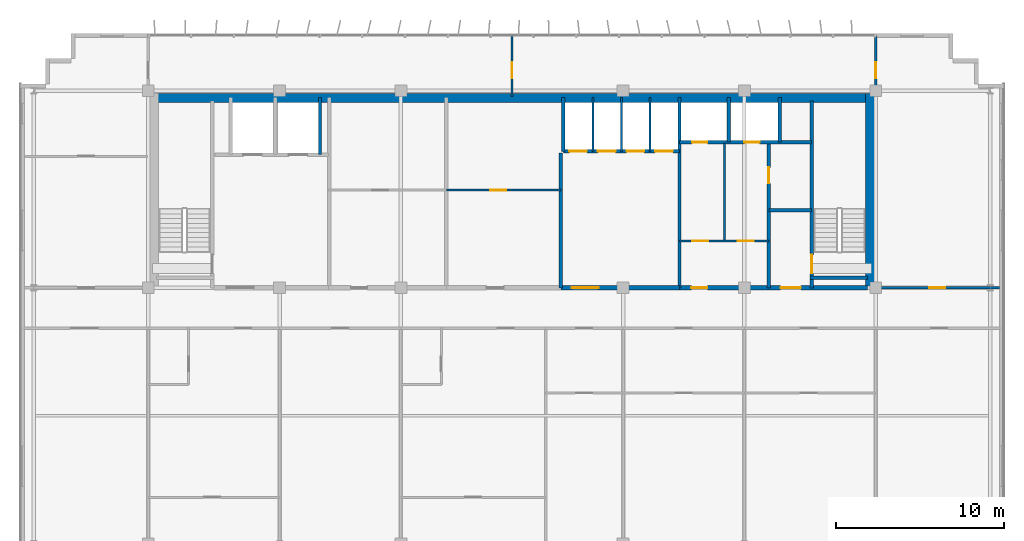
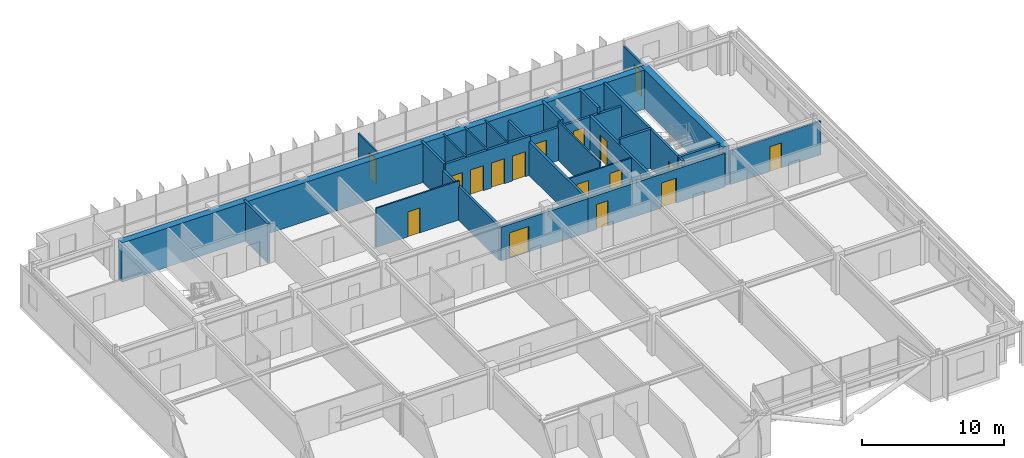
# One storey, part 24 of 27: 25 walls, 17 doors, 17 openings.
"""IFC4 building model written with IfcOpenShell, lengths in metres."""

from ifc_helpers import new_model, si_unit, direction, frame, frame_2d, origin, place, context, subcontext, project, spatial, rectangle, extrude, source, transform, mapped, material, layer, layer_set, type_object, element, fill, save


model = new_model("IFC4")

# Units and contexts
model_context = context("Model", 3, precision=1e-05, world=origin(), true_north=direction((0.0, 1.0)))
body_context = subcontext(model_context, "Body", "Model", "MODEL_VIEW")
ifc_project = project(units=[si_unit("LENGTHUNIT", "METRE"), si_unit("AREAUNIT", "SQUARE_METRE"), si_unit("VOLUMEUNIT", "CUBIC_METRE"), si_unit("PLANEANGLEUNIT", "RADIAN"), si_unit("MASSUNIT", "GRAM", prefix="KILO")], contexts=[model_context])

# Site, building, storey
site_placement = place(None, origin())
site = spatial("IfcSite", under=ifc_project, at=site_placement, CompositionType="ELEMENT")
building_placement = place(site_placement, origin())
building = spatial("IfcBuilding", under=site, at=building_placement, Name="Trelvane Seafront Commons", CompositionType="ELEMENT")
storey_placement = place(building_placement, frame((0.0, 0.0, 233.699951171875)))
storey = spatial("IfcBuildingStorey", under=building, at=storey_placement, Name="L61", CompositionType="ELEMENT", Elevation=233.699951171875)

# Wall, opening, door
ifc_material_1 = material(Name="Concrete C40/50", Category="concrete")
ifc_layer_1 = layer(ifc_material_1, 0.199951171875, Name="ARCH-WALL-FIRE200")
ifc_layer_set_1 = layer_set([ifc_layer_1], Name="Concrete C40/50")
wall_type_1 = type_object("IfcWallType", Name="ARCH-WALL-FIRE200", PredefinedType="PARTITIONING", material=ifc_layer_set_1)
wall_1_placement = place(storey_placement, frame((52.449951171875, 33.39990234375, 0.0), z_axis=(0.0, 0.0, 1.0), x_axis=(0.0, 1.0, 0.0)))
wall_1 = element("IfcWall", 1, at=wall_1_placement, inside=storey, type_object=wall_type_1, Name="W-L61-ST2V-W-030", PredefinedType="PARTITIONING", context=body_context, shape_type="SweptSolid", body=[
    extrude(rectangle(XDim=8.650146484375, YDim=0.199951171875, at=frame_2d((4.3251953125, 0.0))), origin(), (0.0, 0.0, 1.0), 2.91015625),
])
opening_1_placement = place(wall_1_placement, frame((6.199951171875, 0.0, 0.0)))
opening_1 = element("IfcOpeningElement", 2, at=opening_1_placement, cuts=wall_1, Name="Opening FD-L61-17", PredefinedType="OPENING", context=body_context, shape_type="SweptSolid", body=[
    extrude(rectangle(XDim=0.949951171875, YDim=2.14990234375, at=frame_2d((0.47509765625, 1.074951171875))), frame((0.0, 0.10986328125, 0.0), z_axis=(0.0, -1.0, 0.0), x_axis=(1.0, 0.0, 0.0)), (0.0, 0.0, 1.0), 0.219970703125),
])
ifc_material_2 = material(Name="Powder-coated aluminium frame", Category="aluminium")
door_type_1 = type_object("IfcDoorType", Name="ARCH-DR-FD60-950", OperationType="NOTDEFINED", PredefinedType="DOOR", material=ifc_material_2)
shared_shape_1 = source(origin(), body_context, "Body", "SweptSolid", [
    extrude(rectangle(XDim=0.949951171875, YDim=2.14990234375, at=frame_2d((0.47509765625, 1.074951171875))), frame((0.0, 0.02490234375, 0.0), z_axis=(0.0, -1.0, 0.0), x_axis=(1.0, 0.0, 0.0)), (0.0, 0.0, 1.0), 0.050048828125),
])
door_1_placement = place(opening_1_placement, origin())
door_1 = element("IfcDoor", 3, at=door_1_placement, inside=storey, type_object=door_type_1, Name="L61 Cleaner Store Door", OperationType="SINGLE_SWING_LEFT", OverallHeight=2.14990234375, OverallWidth=0.949951171875, PredefinedType="DOOR", context=body_context, shape_type="MappedRepresentation", body=[
    mapped(shared_shape_1, transform((0.0, 0.0, 0.0), x_axis=(1.0, 0.0, 0.0), y_axis=(0.0, 1.0, 0.0), z_axis=(0.0, 0.0, 1.0), scale=1.0)),
])
fill(opening_1, door_1)

# Wall
wall_2_placement = place(storey_placement, frame((52.449951171875, 38.0, 0.0), z_axis=(0.0, 0.0, 1.0), x_axis=(1.0, 0.0, 0.0)))
element("IfcWall", 4, at=wall_2_placement, inside=storey, type_object=wall_type_1, Name="W-L61-ST2V-N-031", PredefinedType="PARTITIONING", context=body_context, shape_type="SweptSolid", body=[
    extrude(rectangle(XDim=2.550048828125, YDim=0.199951171875, at=frame_2d((1.27490234375, 0.0))), origin(), (0.0, 0.0, 1.0), 3.360107421875),
])

# Wall, opening, door
ifc_layer_2 = layer(ifc_material_1, 0.25, Name="ARCH-WALL-FIRE250")
ifc_layer_set_2 = layer_set([ifc_layer_2], Name="Concrete C40/50")
wall_type_2 = type_object("IfcWallType", Name="ARCH-WALL-FIRE250", PredefinedType="PARTITIONING", material=ifc_layer_set_2)
wall_3_placement = place(storey_placement, frame((40.10009765625, 33.39990234375, 0.0), z_axis=(0.0, 0.0, 1.0), x_axis=(1.0, 0.0, 0.0)))
wall_3 = element("IfcWall", 5, at=wall_3_placement, inside=storey, type_object=wall_type_2, Name="W-L61-CS-PAX-026", PredefinedType="PARTITIONING", context=body_context, shape_type="SweptSolid", body=[
    extrude(rectangle(XDim=7.0498046875, YDim=0.25, at=frame_2d((3.52490234375, 0.0))), origin(), (0.0, 0.0, 1.0), 2.91015625),
])
opening_2_placement = place(wall_3_placement, frame((0.64990234375, 0.0, 0.0)))
opening_2 = element("IfcOpeningElement", 6, at=opening_2_placement, cuts=wall_3, Name="Opening FD-L61-14", PredefinedType="OPENING", context=body_context, shape_type="SweptSolid", body=[
    extrude(rectangle(XDim=1.60009765625, YDim=2.199951171875, at=frame_2d((0.800048828125, 1.10009765625))), frame((0.0, 0.135009765625, 0.0), z_axis=(0.0, -1.0, 0.0), x_axis=(1.0, 0.0, 0.0)), (0.0, 0.0, 1.0), 0.27001953125),
])
door_type_2 = type_object("IfcDoorType", Name="ARCH-DR-FD60-1600", OperationType="DOUBLE_DOOR_SINGLE_SWING", PredefinedType="DOOR", material=ifc_material_2)
shared_shape_2 = source(origin(), body_context, "Body", "SweptSolid", [
    extrude(rectangle(XDim=1.60009765625, YDim=2.199951171875, at=frame_2d((0.800048828125, 1.10009765625))), frame((0.0, 0.02490234375, 0.0), z_axis=(0.0, -1.0, 0.0), x_axis=(1.0, 0.0, 0.0)), (0.0, 0.0, 1.0), 0.050048828125),
])
door_2_placement = place(opening_2_placement, origin())
door_2 = element("IfcDoor", 7, at=door_2_placement, inside=storey, type_object=door_type_2, Name="L61 High-Rise Lift Lobby Double Door", OperationType="DOUBLE_DOOR_SINGLE_SWING", OverallHeight=2.199951171875, OverallWidth=1.60009765625, PredefinedType="DOOR", context=body_context, shape_type="MappedRepresentation", body=[
    mapped(shared_shape_2, transform((0.0, 0.0, 0.0), x_axis=(1.0, 0.0, 0.0), y_axis=(0.0, 1.0, 0.0), z_axis=(0.0, 0.0, 1.0), scale=1.0)),
])
fill(opening_2, door_2)

# Wall, openings, doors
wall_4_placement = place(storey_placement, frame((47.14990234375, 33.39990234375, 0.0), z_axis=(0.0, 0.0, 1.0), x_axis=(1.0, 0.0, 0.0)))
wall_4 = element("IfcWall", 8, at=wall_4_placement, inside=storey, type_object=wall_type_2, Name="W-L61-CS-EAST-034", PredefinedType="PARTITIONING", context=body_context, shape_type="SweptSolid", body=[
    extrude(rectangle(XDim=11.150146484375, YDim=0.25, at=frame_2d((5.5751953125, 0.0))), origin(), (0.0, 0.0, 1.0), 2.91015625),
])
opening_3_placement = place(wall_4_placement, frame((0.699951171875, 0.0, 0.0)))
opening_3 = element("IfcOpeningElement", 9, at=opening_3_placement, cuts=wall_4, Name="Opening FD-L61-20", PredefinedType="OPENING", context=body_context, shape_type="SweptSolid", body=[
    extrude(rectangle(XDim=0.949951171875, YDim=2.14990234375, at=frame_2d((0.47509765625, 1.074951171875))), frame((0.0, 0.135009765625, 0.0), z_axis=(0.0, -1.0, 0.0), x_axis=(1.0, 0.0, 0.0)), (0.0, 0.0, 1.0), 0.27001953125),
])
opening_4_placement = place(wall_4_placement, frame((6.0, 0.0, 0.0)))
opening_4 = element("IfcOpeningElement", 10, at=opening_4_placement, cuts=wall_4, Name="Opening FD-L61-21", PredefinedType="OPENING", context=body_context, shape_type="SweptSolid", body=[
    extrude(rectangle(XDim=1.199951171875, YDim=2.14990234375, at=frame_2d((0.60009765625, 1.074951171875))), frame((0.0, 0.135009765625, 0.0), z_axis=(0.0, -1.0, 0.0), x_axis=(1.0, 0.0, 0.0)), (0.0, 0.0, 1.0), 0.27001953125),
])
door_3_placement = place(opening_3_placement, origin())
door_3 = element("IfcDoor", 11, at=door_3_placement, inside=storey, type_object=door_type_1, Name="L61 Core Service Lobby Door", OperationType="SINGLE_SWING_RIGHT", OverallHeight=2.14990234375, OverallWidth=0.949951171875, PredefinedType="DOOR", context=body_context, shape_type="MappedRepresentation", body=[
    mapped(shared_shape_1, transform((0.0, 0.0, 0.0), x_axis=(1.0, 0.0, 0.0), y_axis=(0.0, 1.0, 0.0), z_axis=(0.0, 0.0, 1.0), scale=1.0)),
])
fill(opening_3, door_3)
door_type_3 = type_object("IfcDoorType", Name="ARCH-DR-FD60-1200", OperationType="NOTDEFINED", PredefinedType="DOOR", material=ifc_material_2)
shared_shape_3 = source(origin(), body_context, "Body", "SweptSolid", [
    extrude(rectangle(XDim=1.199951171875, YDim=2.14990234375, at=frame_2d((0.60009765625, 1.074951171875))), frame((0.0, 0.02490234375, 0.0), z_axis=(0.0, -1.0, 0.0), x_axis=(1.0, 0.0, 0.0)), (0.0, 0.0, 1.0), 0.050048828125),
])
door_4_placement = place(opening_4_placement, origin())
door_4 = element("IfcDoor", 12, at=door_4_placement, inside=storey, type_object=door_type_3, Name="L61 East Stair Vestibule Fire Door", OperationType="SINGLE_SWING_LEFT", OverallHeight=2.14990234375, OverallWidth=1.199951171875, PredefinedType="DOOR", context=body_context, shape_type="MappedRepresentation", body=[
    mapped(shared_shape_3, transform((0.0, 0.0, 0.0), x_axis=(1.0, 0.0, 0.0), y_axis=(0.0, 1.0, 0.0), z_axis=(0.0, 0.0, 1.0), scale=1.0)),
])
fill(opening_4, door_4)

# Wall, opening, door
ifc_material_3 = material(Name="Gypsum Drywall Acoustic Partition")
ifc_layer_3 = layer(ifc_material_3, 0.1201171875, Name="ARCH-WALL-PART120")
ifc_layer_set_3 = layer_set([ifc_layer_3], Name="Gypsum Drywall Acoustic Partition")
wall_type_3 = type_object("IfcWallType", Name="ARCH-WALL-PART120", PredefinedType="PARTITIONING", material=ifc_layer_set_3)
wall_5_placement = place(storey_placement, frame((33.300048828125, 39.199951171875, 0.0), z_axis=(0.0, 0.0, 1.0), x_axis=(1.0, 0.0, 0.0)))
wall_5 = element("IfcWall", 13, at=wall_5_placement, inside=storey, type_object=wall_type_3, Name="W-L61-FREED-PM-MID-016", PredefinedType="PARTITIONING", context=body_context, shape_type="SweptSolid", body=[
    extrude(rectangle(XDim=6.800048828125, YDim=0.1201171875, at=frame_2d((3.39990234375, 0.0))), origin(), (0.0, 0.0, 1.0), 3.360107421875),
])
opening_5_placement = place(wall_5_placement, frame((2.60009765625, 0.0, 0.0)))
opening_5 = element("IfcOpeningElement", 14, at=opening_5_placement, cuts=wall_5, Name="Opening D-L61-07", PredefinedType="OPENING", context=body_context, shape_type="SweptSolid", body=[
    extrude(rectangle(XDim=0.949951171875, YDim=2.14990234375, at=frame_2d((0.47509765625, 1.074951171875))), frame((0.0, 0.070068359375, 0.0), z_axis=(0.0, -1.0, 0.0), x_axis=(1.0, 0.0, 0.0)), (0.0, 0.0, 1.0), 0.14013671875),
])
ifc_material_4 = material(Name="Acoustic timber door leaf", Category="wood")
door_type_4 = type_object("IfcDoorType", Name="ARCH-DR-INT950", OperationType="NOTDEFINED", PredefinedType="DOOR", material=ifc_material_4)
door_5_placement = place(opening_5_placement, origin())
door_5 = element("IfcDoor", 15, at=door_5_placement, inside=storey, type_object=door_type_4, Name="L61 IT Comms Room Door", OperationType="SINGLE_SWING_LEFT", OverallHeight=2.14990234375, OverallWidth=0.949951171875, PredefinedType="DOOR", context=body_context, shape_type="MappedRepresentation", body=[
    mapped(shared_shape_1, transform((0.0, 0.0, 0.0), x_axis=(1.0, 0.0, 0.0), y_axis=(0.0, 1.0, 0.0), z_axis=(0.0, 0.0, 1.0), scale=1.0)),
])
fill(opening_5, door_5)

# Walls
for number, where, z_axis, x_axis, name in (
    (16, (42.0, 41.5, 0.0), (0.0, 0.0, 1.0), (0.0, 1.0, 0.0), "W-L61-PH-DIV1-020"),
    (17, (43.699951171875, 41.5, 0.0), (0.0, 0.0, 1.0), (0.0, 1.0, 0.0), "W-L61-PH-DIV2-021"),
    (18, (45.39990234375, 41.5, 0.0), (0.0, 0.0, 1.0), (0.0, 1.0, 0.0), "W-L61-PH-DIV3-022"),
):
    element("IfcWall", number, at=place(storey_placement, frame(where, z_axis=z_axis, x_axis=x_axis)), inside=storey, type_object=wall_type_3, Name=name, PredefinedType="PARTITIONING", context=body_context, shape_type="SweptSolid", body=[
        extrude(rectangle(XDim=3.199951171875, YDim=0.1201171875, at=frame_2d((1.60009765625, 0.0))), origin(), (0.0, 0.0, 1.0), 3.360107421875),
    ])

# Wall, openings, doors
wall_6_placement = place(storey_placement, frame((47.14990234375, 36.179931640625, 0.0), z_axis=(0.0, 0.0, 1.0), x_axis=(1.0, 0.0, 0.0)))
wall_6 = element("IfcWall", 19, at=wall_6_placement, inside=storey, type_object=wall_type_3, Name="W-L61-CYC1-H-032", PredefinedType="PARTITIONING", context=body_context, shape_type="SweptSolid", body=[
    extrude(rectangle(XDim=5.300048828125, YDim=0.1201171875, at=frame_2d((2.64990234375, 0.0))), origin(), (0.0, 0.0, 1.0), 2.860107421875),
])
opening_6_placement = place(wall_6_placement, frame((0.75, 0.0, 0.0)))
opening_6 = element("IfcOpeningElement", 20, at=opening_6_placement, cuts=wall_6, Name="Opening D-L61-18", PredefinedType="OPENING", context=body_context, shape_type="SweptSolid", body=[
    extrude(rectangle(XDim=0.949951171875, YDim=2.14990234375, at=frame_2d((0.47509765625, 1.074951171875))), frame((0.0, 0.070068359375, 0.0), z_axis=(0.0, -1.0, 0.0), x_axis=(1.0, 0.0, 0.0)), (0.0, 0.0, 1.0), 0.14013671875),
])
opening_7_placement = place(wall_6_placement, frame((3.449951171875, 0.0, 0.0)))
opening_7 = element("IfcOpeningElement", 21, at=opening_7_placement, cuts=wall_6, Name="Opening D-L61-19", PredefinedType="OPENING", context=body_context, shape_type="SweptSolid", body=[
    extrude(rectangle(XDim=0.949951171875, YDim=2.14990234375, at=frame_2d((0.47509765625, 1.074951171875))), frame((0.0, 0.070068359375, 0.0), z_axis=(0.0, -1.0, 0.0), x_axis=(1.0, 0.0, 0.0)), (0.0, 0.0, 1.0), 0.14013671875),
])
door_6_placement = place(opening_6_placement, origin())
door_6 = element("IfcDoor", 22, at=door_6_placement, inside=storey, type_object=door_type_4, Name="L61 Accessible WC Door", OperationType="SINGLE_SWING_RIGHT", OverallHeight=2.14990234375, OverallWidth=0.949951171875, PredefinedType="DOOR", context=body_context, shape_type="MappedRepresentation", body=[
    mapped(shared_shape_1, transform((0.0, 0.0, 0.0), x_axis=(1.0, 0.0, 0.0), y_axis=(0.0, 1.0, 0.0), z_axis=(0.0, 0.0, 1.0), scale=1.0)),
])
fill(opening_6, door_6)
door_7_placement = place(opening_7_placement, origin())
door_7 = element("IfcDoor", 23, at=door_7_placement, inside=storey, type_object=door_type_4, Name="L61 BMS Room Door", OperationType="SINGLE_SWING_LEFT", OverallHeight=2.14990234375, OverallWidth=0.949951171875, PredefinedType="DOOR", context=body_context, shape_type="MappedRepresentation", body=[
    mapped(shared_shape_1, transform((0.0, 0.0, 0.0), x_axis=(1.0, 0.0, 0.0), y_axis=(0.0, 1.0, 0.0), z_axis=(0.0, 0.0, 1.0), scale=1.0)),
])
fill(opening_7, door_7)

# Wall
wall_7_placement = place(storey_placement, frame((49.820068359375, 36.179931640625, 0.0), z_axis=(0.0, 0.0, 1.0), x_axis=(0.0, 1.0, 0.0)))
element("IfcWall", 24, at=wall_7_placement, inside=storey, type_object=wall_type_3, Name="W-L61-CYC1-V-033", PredefinedType="PARTITIONING", context=body_context, shape_type="SweptSolid", body=[
    extrude(rectangle(XDim=5.820068359375, YDim=0.1201171875, at=frame_2d((2.91015625, 0.0))), origin(), (0.0, 0.0, 1.0), 3.360107421875),
])

# Wall, opening, door
wall_8_placement = place(storey_placement, frame((37.199951171875, 44.75, 0.0), z_axis=(0.0, 0.0, 1.0), x_axis=(0.0, 1.0, 0.0)))
wall_8 = element("IfcWall", 25, at=wall_8_placement, inside=storey, type_object=wall_type_3, Name="W-L61-N-MID-DV-038", PredefinedType="PARTITIONING", context=body_context, shape_type="SweptSolid", body=[
    extrude(rectangle(XDim=3.610107421875, YDim=0.1201171875, at=frame_2d((1.80517578125, 0.0))), origin(), (0.0, 0.0, 1.0), 2.91015625),
])
opening_8_placement = place(wall_8_placement, frame((1.10009765625, 0.0, 0.0)))
opening_8 = element("IfcOpeningElement", 26, at=opening_8_placement, cuts=wall_8, Name="Opening D-L61-25", PredefinedType="OPENING", context=body_context, shape_type="SweptSolid", body=[
    extrude(rectangle(XDim=0.949951171875, YDim=2.14990234375, at=frame_2d((0.47509765625, 1.074951171875))), frame((0.0, 0.070068359375, 0.0), z_axis=(0.0, -1.0, 0.0), x_axis=(1.0, 0.0, 0.0)), (0.0, 0.0, 1.0), 0.14013671875),
])
door_8_placement = place(opening_8_placement, origin())
door_8 = element("IfcDoor", 27, at=door_8_placement, inside=storey, type_object=door_type_4, Name="L61 Door 25", OperationType="SINGLE_SWING_LEFT", OverallHeight=2.14990234375, OverallWidth=0.949951171875, PredefinedType="DOOR", context=body_context, shape_type="MappedRepresentation", body=[
    mapped(shared_shape_1, transform((0.0, 0.0, 0.0), x_axis=(1.0, 0.0, 0.0), y_axis=(0.0, 1.0, 0.0), z_axis=(0.0, 0.0, 1.0), scale=1.0)),
])
fill(opening_8, door_8)

ifc_layer_4 = layer(ifc_material_3, 0.14990234375, Name="ARCH-WALL-PART150")
ifc_layer_set_4 = layer_set([ifc_layer_4], Name="Gypsum Drywall Acoustic Partition")
wall_type_4 = type_object("IfcWallType", Name="ARCH-WALL-PART150", PredefinedType="PARTITIONING", material=ifc_layer_set_4)
wall_9_placement = place(storey_placement, frame((58.800048828125, 33.39990234375, 0.0), z_axis=(0.0, 0.0, 1.0), x_axis=(1.0, 0.0, 0.0)))
wall_9 = element("IfcWall", 28, at=wall_9_placement, inside=storey, type_object=wall_type_4, Name="W-L61-NE-ENT-037", PredefinedType="PARTITIONING", context=body_context, shape_type="SweptSolid", body=[
    extrude(rectangle(XDim=7.349853515625, YDim=0.14990234375, at=frame_2d((3.6748046875, 0.0))), origin(), (0.0, 0.0, 1.0), 2.91015625),
])
opening_9_placement = place(wall_9_placement, frame((3.19189453125, 0.0, 0.0)))
opening_9 = element("IfcOpeningElement", 29, at=opening_9_placement, cuts=wall_9, Name="Opening FD-L61-24", PredefinedType="OPENING", context=body_context, shape_type="SweptSolid", body=[
    extrude(rectangle(XDim=0.949951171875, YDim=2.14990234375, at=frame_2d((0.47509765625, 1.074951171875))), frame((0.0, 0.0849609375, 0.0), z_axis=(0.0, -1.0, 0.0), x_axis=(1.0, 0.0, 0.0)), (0.0, 0.0, 1.0), 0.169921875),
])
door_9_placement = place(opening_9_placement, origin())
door_9 = element("IfcDoor", 30, at=door_9_placement, inside=storey, type_object=door_type_1, Name="L61 NE Suite Entrance Door", OperationType="SINGLE_SWING_RIGHT", OverallHeight=2.14990234375, OverallWidth=0.949951171875, PredefinedType="DOOR", context=body_context, shape_type="MappedRepresentation", body=[
    mapped(shared_shape_1, transform((0.0, 0.0, 0.0), x_axis=(1.0, 0.0, 0.0), y_axis=(0.0, 1.0, 0.0), z_axis=(0.0, 0.0, 1.0), scale=1.0)),
])
fill(opening_9, door_9)

wall_10_placement = place(storey_placement, frame((58.800048828125, 44.75, 0.0), z_axis=(0.0, 0.0, 1.0), x_axis=(0.0, 1.0, 0.0)))
wall_10 = element("IfcWall", 31, at=wall_10_placement, inside=storey, type_object=wall_type_4, Name="W-L61-N-LINK-E-040", PredefinedType="PARTITIONING", context=body_context, shape_type="SweptSolid", body=[
    extrude(rectangle(XDim=3.610107421875, YDim=0.14990234375, at=frame_2d((1.80517578125, 0.0))), origin(), (0.0, 0.0, 1.0), 2.860107421875),
])
opening_10_placement = place(wall_10_placement, frame((1.10009765625, 0.0, 0.0)))
opening_10 = element("IfcOpeningElement", 32, at=opening_10_placement, cuts=wall_10, Name="Opening FD-L61-27", PredefinedType="OPENING", context=body_context, shape_type="SweptSolid", body=[
    extrude(rectangle(XDim=0.949951171875, YDim=2.14990234375, at=frame_2d((0.47509765625, 1.074951171875))), frame((0.0, 0.0849609375, 0.0), z_axis=(0.0, -1.0, 0.0), x_axis=(1.0, 0.0, 0.0)), (0.0, 0.0, 1.0), 0.169921875),
])
door_10_placement = place(opening_10_placement, origin())
door_10 = element("IfcDoor", 33, at=door_10_placement, inside=storey, type_object=door_type_1, Name="L61 Door 27", OperationType="SINGLE_SWING_LEFT", OverallHeight=2.14990234375, OverallWidth=0.949951171875, PredefinedType="DOOR", context=body_context, shape_type="MappedRepresentation", body=[
    mapped(shared_shape_1, transform((0.0, 0.0, 0.0), x_axis=(1.0, 0.0, 0.0), y_axis=(0.0, 1.0, 0.0), z_axis=(0.0, 0.0, 1.0), scale=1.0)),
])
fill(opening_10, door_10)

# Walls
ifc_layer_5 = layer(ifc_material_1, 0.199951171875, Name="ARCH-WALL-SHAFT200")
ifc_layer_set_5 = layer_set([ifc_layer_5], Name="Concrete C40/50")
wall_type_5 = type_object("IfcWallType", Name="ARCH-WALL-SHAFT200", PredefinedType="SOLIDWALL", material=ifc_layer_set_5)
wall_11_placement = place(storey_placement, frame((25.800048828125, 41.300048828125, 0.0), z_axis=(0.0, 0.0, 1.0), x_axis=(0.0, 1.0, 0.0)))
element("IfcWall", 34, at=wall_11_placement, inside=storey, type_object=wall_type_5, Name="W-L61-FFL-SH-E-011", PredefinedType="SOLIDWALL", context=body_context, shape_type="SweptSolid", body=[
    extrude(rectangle(XDim=3.39990234375, YDim=0.199951171875, at=frame_2d((1.699951171875, 0.0))), origin(), (0.0, 0.0, 1.0), 3.360107421875),
])
wall_12_placement = place(storey_placement, frame((40.10009765625, 33.39990234375, 0.0), z_axis=(0.0, 0.0, 1.0), x_axis=(0.0, 1.0, 0.0)))
element("IfcWall", 35, at=wall_12_placement, inside=storey, type_object=wall_type_5, Name="W-L61-FREED-PM-E-017", PredefinedType="SOLIDWALL", context=body_context, shape_type="SweptSolid", body=[
    extrude(rectangle(XDim=8.0, YDim=0.199951171875, at=frame_2d((4.0, 0.0))), origin(), (0.0, 0.0, 1.0), 2.91015625),
])

# Wall, openings, doors
wall_13_placement = place(storey_placement, frame((40.25, 41.5, 0.0), z_axis=(0.0, 0.0, 1.0), x_axis=(1.0, 0.0, 0.0)))
wall_13 = element("IfcWall", 36, at=wall_13_placement, inside=storey, type_object=wall_type_5, Name="W-L61-PH-FRONT-018", PredefinedType="SOLIDWALL", context=body_context, shape_type="SweptSolid", body=[
    extrude(rectangle(XDim=6.89990234375, YDim=0.199951171875, at=frame_2d((3.449951171875, 0.0))), origin(), (0.0, 0.0, 1.0), 3.360107421875),
])
opening_11_placement = place(wall_13_placement, frame((0.35009765625, 0.0, 0.0)))
opening_11 = element("IfcOpeningElement", 37, at=opening_11_placement, cuts=wall_13, Name="Opening LD-PH1-L61", PredefinedType="OPENING", context=body_context, shape_type="SweptSolid", body=[
    extrude(rectangle(XDim=1.050048828125, YDim=2.14990234375, at=frame_2d((0.52490234375, 1.074951171875))), frame((0.0, 0.10986328125, 0.0), z_axis=(0.0, -1.0, 0.0), x_axis=(1.0, 0.0, 0.0)), (0.0, 0.0, 1.0), 0.219970703125),
])
opening_12_placement = place(wall_13_placement, frame((2.050048828125, 0.0, 0.0)))
opening_12 = element("IfcOpeningElement", 38, at=opening_12_placement, cuts=wall_13, Name="Opening LD-PH2-L61", PredefinedType="OPENING", context=body_context, shape_type="SweptSolid", body=[
    extrude(rectangle(XDim=1.050048828125, YDim=2.14990234375, at=frame_2d((0.52490234375, 1.074951171875))), frame((0.0, 0.10986328125, 0.0), z_axis=(0.0, -1.0, 0.0), x_axis=(1.0, 0.0, 0.0)), (0.0, 0.0, 1.0), 0.219970703125),
])
opening_13_placement = place(wall_13_placement, frame((3.75, 0.0, 0.0)))
opening_13 = element("IfcOpeningElement", 39, at=opening_13_placement, cuts=wall_13, Name="Opening LD-PH3-L61", PredefinedType="OPENING", context=body_context, shape_type="SweptSolid", body=[
    extrude(rectangle(XDim=1.050048828125, YDim=2.14990234375, at=frame_2d((0.52490234375, 1.074951171875))), frame((0.0, 0.10986328125, 0.0), z_axis=(0.0, -1.0, 0.0), x_axis=(1.0, 0.0, 0.0)), (0.0, 0.0, 1.0), 0.219970703125),
])
opening_14_placement = place(wall_13_placement, frame((5.449951171875, 0.0, 0.0)))
opening_14 = element("IfcOpeningElement", 40, at=opening_14_placement, cuts=wall_13, Name="Opening LD-PH4-L61", PredefinedType="OPENING", context=body_context, shape_type="SweptSolid", body=[
    extrude(rectangle(XDim=1.050048828125, YDim=2.14990234375, at=frame_2d((0.52490234375, 1.074951171875))), frame((0.0, 0.10986328125, 0.0), z_axis=(0.0, -1.0, 0.0), x_axis=(1.0, 0.0, 0.0)), (0.0, 0.0, 1.0), 0.219970703125),
])
ifc_material_5 = material(Name="Stainless steel balustrade", Category="steel")
door_type_5 = type_object("IfcDoorType", Name="ARCH-DR-LD1050", OperationType="DOUBLE_DOOR_SLIDING", PredefinedType="DOOR", material=ifc_material_5)
shared_shape_4 = source(origin(), body_context, "Body", "SweptSolid", [
    extrude(rectangle(XDim=1.050048828125, YDim=2.14990234375, at=frame_2d((0.52490234375, 1.074951171875))), frame((0.0, 0.02490234375, 0.0), z_axis=(0.0, -1.0, 0.0), x_axis=(1.0, 0.0, 0.0)), (0.0, 0.0, 1.0), 0.050048828125),
])
door_11_placement = place(opening_11_placement, origin())
door_11 = element("IfcDoor", 41, at=door_11_placement, inside=storey, type_object=door_type_5, Name="L61 Passenger Lift PH-1 Landing Door", OperationType="DOUBLE_DOOR_SLIDING", OverallHeight=2.14990234375, OverallWidth=1.050048828125, PredefinedType="DOOR", context=body_context, shape_type="MappedRepresentation", body=[
    mapped(shared_shape_4, transform((0.0, 0.0, 0.0), x_axis=(1.0, 0.0, 0.0), y_axis=(0.0, 1.0, 0.0), z_axis=(0.0, 0.0, 1.0), scale=1.0)),
])
fill(opening_11, door_11)
door_12_placement = place(opening_12_placement, origin())
door_12 = element("IfcDoor", 42, at=door_12_placement, inside=storey, type_object=door_type_5, Name="L61 Passenger Lift PH-2 Landing Door", OperationType="DOUBLE_DOOR_SLIDING", OverallHeight=2.14990234375, OverallWidth=1.050048828125, PredefinedType="DOOR", context=body_context, shape_type="MappedRepresentation", body=[
    mapped(shared_shape_4, transform((0.0, 0.0, 0.0), x_axis=(1.0, 0.0, 0.0), y_axis=(0.0, 1.0, 0.0), z_axis=(0.0, 0.0, 1.0), scale=1.0)),
])
fill(opening_12, door_12)
door_13_placement = place(opening_13_placement, origin())
door_13 = element("IfcDoor", 43, at=door_13_placement, inside=storey, type_object=door_type_5, Name="L61 Passenger Lift PH-3 Landing Door", OperationType="DOUBLE_DOOR_SLIDING", OverallHeight=2.14990234375, OverallWidth=1.050048828125, PredefinedType="DOOR", context=body_context, shape_type="MappedRepresentation", body=[
    mapped(shared_shape_4, transform((0.0, 0.0, 0.0), x_axis=(1.0, 0.0, 0.0), y_axis=(0.0, 1.0, 0.0), z_axis=(0.0, 0.0, 1.0), scale=1.0)),
])
fill(opening_13, door_13)
door_14_placement = place(opening_14_placement, origin())
door_14 = element("IfcDoor", 44, at=door_14_placement, inside=storey, type_object=door_type_5, Name="L61 Passenger Lift PH-4 Landing Door", OperationType="DOUBLE_DOOR_SLIDING", OverallHeight=2.14990234375, OverallWidth=1.050048828125, PredefinedType="DOOR", context=body_context, shape_type="MappedRepresentation", body=[
    mapped(shared_shape_4, transform((0.0, 0.0, 0.0), x_axis=(1.0, 0.0, 0.0), y_axis=(0.0, 1.0, 0.0), z_axis=(0.0, 0.0, 1.0), scale=1.0)),
])
fill(opening_14, door_14)

# Walls
wall_14_placement = place(storey_placement, frame((40.25, 41.5, 0.0), z_axis=(0.0, 0.0, 1.0), x_axis=(0.0, 1.0, 0.0)))
element("IfcWall", 45, at=wall_14_placement, inside=storey, type_object=wall_type_5, Name="W-L61-PH-WEST-SH-019", PredefinedType="SOLIDWALL", context=body_context, shape_type="SweptSolid", body=[
    extrude(rectangle(XDim=3.199951171875, YDim=0.199951171875, at=frame_2d((1.60009765625, 0.0))), origin(), (0.0, 0.0, 1.0), 3.360107421875),
])
wall_15_placement = place(storey_placement, frame((47.14990234375, 33.39990234375, 0.0), z_axis=(0.0, 0.0, 1.0), x_axis=(0.0, 1.0, 0.0)))
element("IfcWall", 46, at=wall_15_placement, inside=storey, type_object=wall_type_5, Name="W-L61-PH-EAST-023", PredefinedType="SOLIDWALL", context=body_context, shape_type="SweptSolid", body=[
    extrude(rectangle(XDim=11.300048828125, YDim=0.199951171875, at=frame_2d((5.64990234375, 0.0))), origin(), (0.0, 0.0, 1.0), 2.91015625),
])

# Wall, openings, doors
wall_16_placement = place(storey_placement, frame((47.14990234375, 42.050048828125, 0.0), z_axis=(0.0, 0.0, 1.0), x_axis=(1.0, 0.0, 0.0)))
wall_16 = element("IfcWall", 47, at=wall_16_placement, inside=storey, type_object=wall_type_5, Name="W-L61-RSR-S-027", PredefinedType="SOLIDWALL", context=body_context, shape_type="SweptSolid", body=[
    extrude(rectangle(XDim=7.85009765625, YDim=0.199951171875, at=frame_2d((3.925048828125, 0.0))), origin(), (0.0, 0.0, 1.0), 2.860107421875),
])
opening_15_placement = place(wall_16_placement, frame((0.75, 0.0, 0.0)))
opening_15 = element("IfcOpeningElement", 48, at=opening_15_placement, cuts=wall_16, Name="Opening FD-L61-15", PredefinedType="OPENING", context=body_context, shape_type="SweptSolid", body=[
    extrude(rectangle(XDim=0.89990234375, YDim=2.10009765625, at=frame_2d((0.449951171875, 1.050048828125))), frame((0.0, 0.10986328125, 0.0), z_axis=(0.0, -1.0, 0.0), x_axis=(1.0, 0.0, 0.0)), (0.0, 0.0, 1.0), 0.219970703125),
])
opening_16_placement = place(wall_16_placement, frame((3.85009765625, 0.0, 0.0)))
opening_16 = element("IfcOpeningElement", 49, at=opening_16_placement, cuts=wall_16, Name="Opening FD-L61-16", PredefinedType="OPENING", context=body_context, shape_type="SweptSolid", body=[
    extrude(rectangle(XDim=0.89990234375, YDim=2.10009765625, at=frame_2d((0.449951171875, 1.050048828125))), frame((0.0, 0.10986328125, 0.0), z_axis=(0.0, -1.0, 0.0), x_axis=(1.0, 0.0, 0.0)), (0.0, 0.0, 1.0), 0.219970703125),
])
door_type_6 = type_object("IfcDoorType", Name="ARCH-DR-FD60-900", OperationType="NOTDEFINED", PredefinedType="DOOR", material=ifc_material_2)
shared_shape_5 = source(origin(), body_context, "Body", "SweptSolid", [
    extrude(rectangle(XDim=0.89990234375, YDim=2.10009765625, at=frame_2d((0.449951171875, 1.050048828125))), frame((0.0, 0.02490234375, 0.0), z_axis=(0.0, -1.0, 0.0), x_axis=(1.0, 0.0, 0.0)), (0.0, 0.0, 1.0), 0.050048828125),
])
door_15_placement = place(opening_15_placement, origin())
door_15 = element("IfcDoor", 50, at=door_15_placement, inside=storey, type_object=door_type_6, Name="L61 Electrical Riser Access Door", OperationType="SINGLE_SWING_LEFT", OverallHeight=2.10009765625, OverallWidth=0.89990234375, PredefinedType="DOOR", context=body_context, shape_type="MappedRepresentation", body=[
    mapped(shared_shape_5, transform((0.0, 0.0, 0.0), x_axis=(1.0, 0.0, 0.0), y_axis=(0.0, 1.0, 0.0), z_axis=(0.0, 0.0, 1.0), scale=1.0)),
])
fill(opening_15, door_15)
door_16_placement = place(opening_16_placement, origin())
door_16 = element("IfcDoor", 51, at=door_16_placement, inside=storey, type_object=door_type_6, Name="L61 Mechanical Riser Access Door", OperationType="SINGLE_SWING_RIGHT", OverallHeight=2.10009765625, OverallWidth=0.89990234375, PredefinedType="DOOR", context=body_context, shape_type="MappedRepresentation", body=[
    mapped(shared_shape_5, transform((0.0, 0.0, 0.0), x_axis=(1.0, 0.0, 0.0), y_axis=(0.0, 1.0, 0.0), z_axis=(0.0, 0.0, 1.0), scale=1.0)),
])
fill(opening_16, door_16)

# Walls
for number, where, z_axis, x_axis, name in (
    (52, (50.080078125, 42.050048828125, 0.0), (0.0, 0.0, 1.0), (0.0, 1.0, 0.0), "W-L61-RSR-DIV-028"),
    (53, (53.10009765625, 42.050048828125, 0.0), (0.0, 0.0, 1.0), (0.0, 1.0, 0.0), "W-L61-RSR-E-029"),
):
    element("IfcWall", number, at=place(storey_placement, frame(where, z_axis=z_axis, x_axis=x_axis)), inside=storey, type_object=wall_type_5, Name=name, PredefinedType="SOLIDWALL", context=body_context, shape_type="SweptSolid", body=[
        extrude(rectangle(XDim=2.64990234375, YDim=0.199951171875, at=frame_2d((1.324951171875, 0.0))), origin(), (0.0, 0.0, 1.0), 3.360107421875),
    ])
ifc_material_6 = material(Name="Concrete C50/60", Category="concrete")
ifc_layer_6 = layer(ifc_material_6, 0.550048828125, Name="STR-WALL-CORE550")
ifc_layer_set_6 = layer_set([ifc_layer_6], Name="Concrete C50/60")
wall_type_6 = type_object("IfcWallType", Name="STR-WALL-CORE550", PredefinedType="SHEAR", material=ifc_layer_set_6)
wall_17_placement = place(storey_placement, frame((15.64990234375, 44.675048828125, 0.0), z_axis=(0.0, 0.0, 1.0), x_axis=(1.0, 0.0, 0.0)))
element("IfcWall", 54, at=wall_17_placement, inside=storey, type_object=wall_type_6, Name="W-L61-CN-ALL-001", PredefinedType="SHEAR", context=body_context, shape_type="SweptSolid", body=[
    extrude(rectangle(XDim=43.10009765625, YDim=0.550048828125, at=frame_2d((21.550048828125, 0.0))), origin(), (0.0, 0.0, 1.0), 3.360107421875),
])
wall_18_placement = place(storey_placement, frame((58.47509765625, 33.39990234375, 0.0), z_axis=(0.0, 0.0, 1.0), x_axis=(0.0, 1.0, 0.0)))
element("IfcWall", 55, at=wall_18_placement, inside=storey, type_object=wall_type_6, Name="W-L61-CE-END-003", PredefinedType="SHEAR", context=body_context, shape_type="SweptSolid", body=[
    extrude(rectangle(XDim=11.550048828125, YDim=0.550048828125, at=frame_2d((5.77490234375, 0.0))), origin(), (0.0, 0.0, 1.0), 3.360107421875),
])
ifc_layer_7 = layer(ifc_material_6, 0.199951171875, Name="STR-WALL-STAIR200")
ifc_layer_set_7 = layer_set([ifc_layer_7], Name="Concrete C50/60")
wall_type_7 = type_object("IfcWallType", Name="STR-WALL-STAIR200", PredefinedType="SHEAR", material=ifc_layer_set_7)
wall_19_placement = place(storey_placement, frame((54.89990234375, 34.0, 0.0), z_axis=(0.0, 0.0, 1.0), x_axis=(1.0, 0.0, 0.0)))
element("IfcWall", 56, at=wall_19_placement, inside=storey, type_object=wall_type_7, Name="W-L61-ST2-S-006", PredefinedType="SHEAR", context=body_context, shape_type="SweptSolid", body=[
    extrude(rectangle(XDim=3.400146484375, YDim=0.199951171875, at=frame_2d((1.7001953125, 0.0))), origin(), (0.0, 0.0, 1.0), 3.360107421875),
])

# Wall, opening, door
wall_20_placement = place(storey_placement, frame((55.0, 33.39990234375, 0.0), z_axis=(0.0, 0.0, 1.0), x_axis=(0.0, 1.0, 0.0)))
wall_20 = element("IfcWall", 57, at=wall_20_placement, inside=storey, type_object=wall_type_7, Name="W-L61-ST2-W-007", PredefinedType="SHEAR", context=body_context, shape_type="SweptSolid", body=[
    extrude(rectangle(XDim=11.10009765625, YDim=0.199951171875, at=frame_2d((5.550048828125, 0.0))), origin(), (0.0, 0.0, 1.0), 3.360107421875),
])
opening_17_placement = place(wall_20_placement, frame((0.85009765625, 0.0, 0.0)))
opening_17 = element("IfcOpeningElement", 58, at=opening_17_placement, cuts=wall_20, Name="Opening ST-D2-L61", PredefinedType="OPENING", context=body_context, shape_type="SweptSolid", body=[
    extrude(rectangle(XDim=1.10009765625, YDim=2.14990234375, at=frame_2d((0.550048828125, 1.074951171875))), frame((0.0, 0.10986328125, 0.0), z_axis=(0.0, -1.0, 0.0), x_axis=(1.0, 0.0, 0.0)), (0.0, 0.0, 1.0), 0.219970703125),
])
door_type_7 = type_object("IfcDoorType", Name="ARCH-DR-FD90-1100", OperationType="NOTDEFINED", PredefinedType="DOOR", material=ifc_material_2)
shared_shape_6 = source(origin(), body_context, "Body", "SweptSolid", [
    extrude(rectangle(XDim=1.10009765625, YDim=2.14990234375, at=frame_2d((0.550048828125, 1.074951171875))), frame((0.0, 0.02490234375, 0.0), z_axis=(0.0, -1.0, 0.0), x_axis=(1.0, 0.0, 0.0)), (0.0, 0.0, 1.0), 0.050048828125),
])
door_17_placement = place(opening_17_placement, origin())
door_17 = element("IfcDoor", 59, at=door_17_placement, inside=storey, type_object=door_type_7, Name="L61 Stair ST-2 Vestibule Fire Door", OperationType="SINGLE_SWING_RIGHT", OverallHeight=2.14990234375, OverallWidth=1.10009765625, PredefinedType="DOOR", context=body_context, shape_type="MappedRepresentation", body=[
    mapped(shared_shape_6, transform((0.0, 0.0, 0.0), x_axis=(1.0, 0.0, 0.0), y_axis=(0.0, 1.0, 0.0), z_axis=(0.0, 0.0, 1.0), scale=1.0)),
])
fill(opening_17, door_17)

save(model, "model.ifc")
